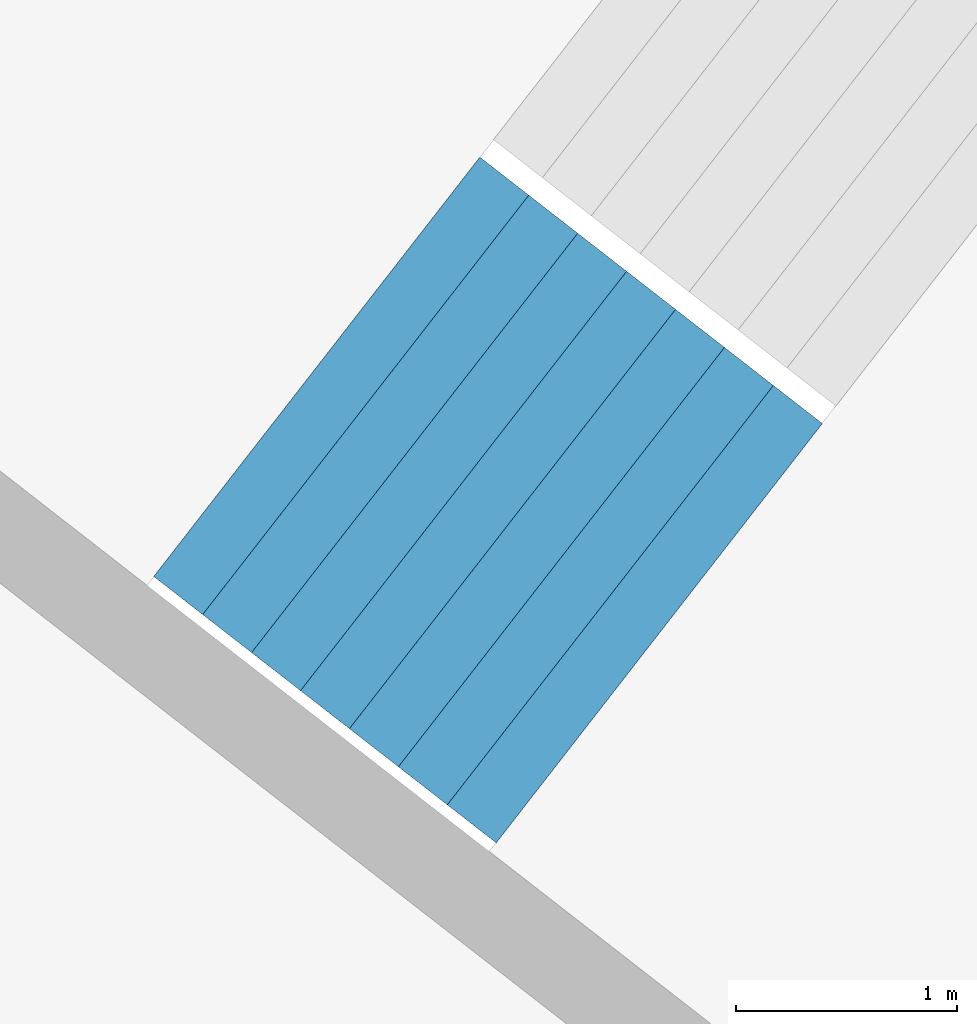
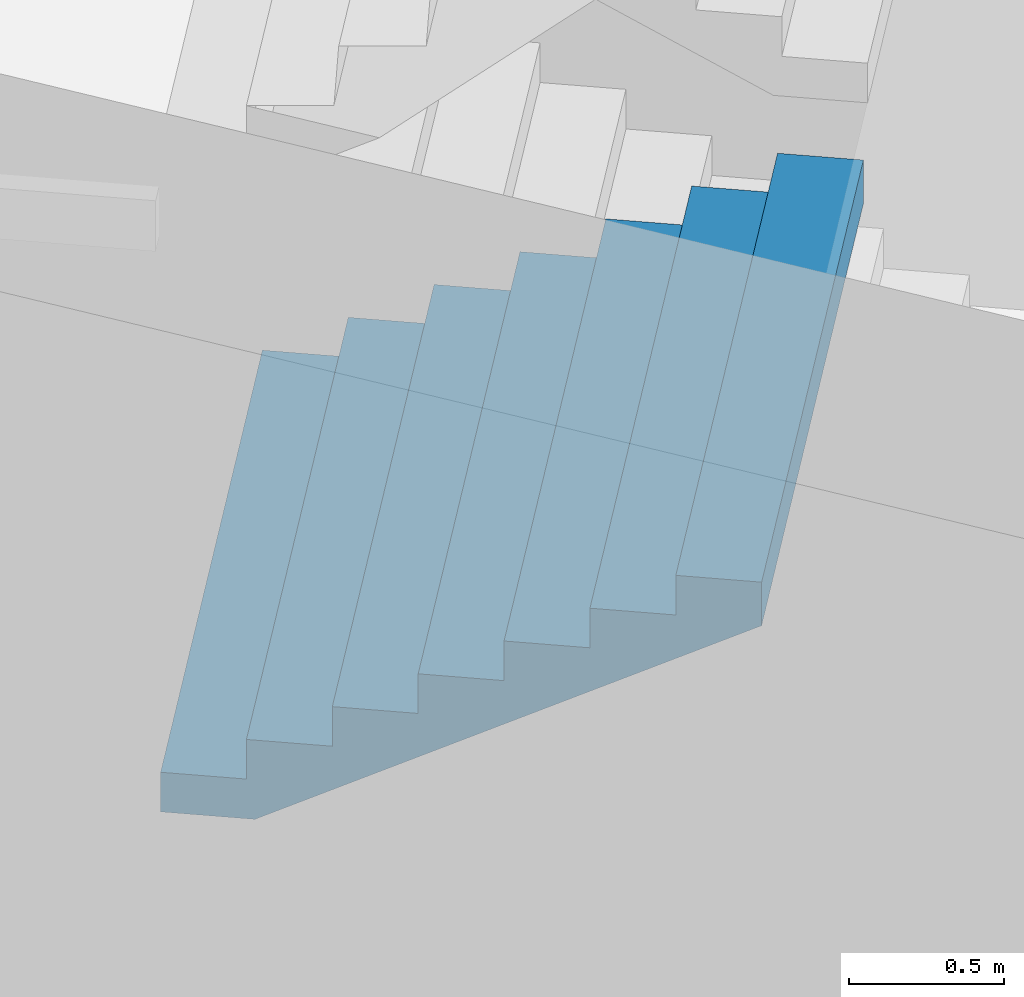
# One storey, part 37 of 73: 1 stair flight, 1 element without a shape of its own.
"""IFC4 building model written with IfcOpenShell, lengths in metres."""

from ifc_helpers import new_model, si_unit, direction, frame, origin, place, context, subcontext, project, spatial, triangles, material, type_object, element, aggregate, save


model = new_model("IFC4")

# Units and contexts
model_context = context("Model", 3, precision=1e-05, world=origin(), true_north=direction((0.0, 1.0)))
body_context = subcontext(model_context, "Body", "Model", "MODEL_VIEW")
ifc_project = project(units=[si_unit("LENGTHUNIT", "METRE"), si_unit("AREAUNIT", "SQUARE_METRE"), si_unit("VOLUMEUNIT", "CUBIC_METRE"), si_unit("PLANEANGLEUNIT", "RADIAN"), si_unit("MASSUNIT", "GRAM", prefix="KILO")], contexts=[model_context])

# Site, building, storey
site_placement = place(None, origin())
site = spatial("IfcSite", under=ifc_project, at=site_placement, CompositionType="ELEMENT")
building_placement = place(site_placement, origin())
building = spatial("IfcBuilding", under=site, at=building_placement, Name="Lantaw Convention Tower", CompositionType="ELEMENT")
storey_placement = place(building_placement, frame((0.0, 0.0, 22.0)))
storey = spatial("IfcBuildingStorey", under=building, at=storey_placement, Name="L03", CompositionType="ELEMENT", Elevation=22.0)

# Stair, stair flight
ifc_material = material(Name="Concrete C35/45", Category="concrete")
stair_type = type_object("IfcStairType", Name="Exit stair 2400 riser 156.25 in 4 flights", PredefinedType="HALF_TURN_STAIR", material=ifc_material)
stair_placement = place(storey_placement, origin())
stair = element("IfcStair", 1, at=stair_placement, inside=storey, type_object=stair_type, Name="Podium exit stair P7 L03", PredefinedType="HALF_TURN_STAIR")
stair_flight_type = type_object("IfcStairFlightType", Name="Stair flight 2400 riser 156.25", PredefinedType="STRAIGHT", material=ifc_material)
stair_flight_placement = place(storey_placement, frame((-31.04150390625, 22.557861328125, 1.25), z_axis=(0.0, 0.0, 1.0), x_axis=(0.789378829664, -0.613906396186, 0.0)))
stair_flight = element("IfcStairFlight", 2, at=stair_flight_placement, type_object=stair_flight_type, Name="P7 flight 2", NumberOfRisers=8, NumberOfTreads=7, PredefinedType="STRAIGHT", RiserHeight=0.15625, TreadLength=0.28, context=body_context, shape_type="Tessellation", body=[
    triangles([(0.0, 1.199951171875, 0.0), (0.0, 1.199951171875, 0.15625), (0.28, 1.199951171875, 0.0), (0.28, 1.199951171875, 0.15625), (0.28, 1.199951171875, 0.3125), (0.3076200632058044, 1.199951171875, 0.0), (0.3076200632058044, 1.199951171875, 0.3125), (0.56, 1.199951171875, 0.14083701830033238), (0.56, 1.199951171875, 0.3125), (0.56, 1.199951171875, 0.46875), (0.8400000000000001, 1.199951171875, 0.29708701830033235), (0.8400000000000001, 1.199951171875, 0.46875), (0.8400000000000001, 1.199951171875, 0.625), (1.12, 1.199951171875, 0.45333701830033235), (1.12, 1.199951171875, 0.625), (1.12, 1.199951171875, 0.78125), (1.4000000000000001, 1.199951171875, 0.6095870183003324), (1.4000000000000001, 1.199951171875, 0.78125), (1.4000000000000001, 1.199951171875, 0.9375), (1.6800000000000002, 1.199951171875, 0.7658370183003324), (1.6800000000000002, 1.199951171875, 0.9375), (1.6800000000000002, 1.199951171875, 1.09375), (1.9600000000000002, 1.199951171875, 0.9220870183003324), (1.9600000000000002, 1.199951171875, 1.09375), (0.0, -1.199951171875, 0.0), (0.0, -1.199951171875, 0.15625), (0.28, -1.199951171875, 0.0), (0.28, -1.199951171875, 0.15625), (0.28, -1.199951171875, 0.3125), (0.3076200632058044, -1.199951171875, 0.0), (0.3076200632058044, -1.199951171875, 0.3125), (0.56, -1.199951171875, 0.14083701830033238), (0.56, -1.199951171875, 0.3125), (0.56, -1.199951171875, 0.46875), (0.8400000000000001, -1.199951171875, 0.29708701830033235), (0.8400000000000001, -1.199951171875, 0.46875), (0.8400000000000001, -1.199951171875, 0.625), (1.12, -1.199951171875, 0.45333701830033235), (1.12, -1.199951171875, 0.625), (1.12, -1.199951171875, 0.78125), (1.4000000000000001, -1.199951171875, 0.6095870183003324), (1.4000000000000001, -1.199951171875, 0.78125), (1.4000000000000001, -1.199951171875, 0.9375), (1.6800000000000002, -1.199951171875, 0.7658370183003324), (1.6800000000000002, -1.199951171875, 0.9375), (1.6800000000000002, -1.199951171875, 1.09375), (1.9600000000000002, -1.199951171875, 0.9220870183003324), (1.9600000000000002, -1.199951171875, 1.09375), (0.0, 0.239990234375, 0.15625), (0.0, 0.239990234375, 0.0), (0.0, 0.1919921875, 0.15625), (0.0, 0.1919921875, 0.0), (0.0, 0.143994140625, 0.15625), (0.0, 0.143994140625, 0.0), (0.0, 0.09599609375, 0.15625), (0.0, 0.09599609375, 0.0), (0.0, 0.047998046875, 0.15625), (0.0, 0.047998046875, 0.0), (0.0, 0.0, 0.15625), (0.0, 0.0, 0.0), (0.0, -0.047998046875, 0.15625), (0.0, -0.047998046875, 0.0), (0.0, -0.09599609375, 0.15625), (0.0, -0.09599609375, 0.0), (0.0, -0.143994140625, 0.15625), (0.0, -0.143994140625, 0.0), (0.0, -0.1919921875, 0.15625), (0.0, -0.1919921875, 0.0), (0.0, -0.239990234375, 0.15625), (0.0, -0.239990234375, 0.0), (0.28, 0.239990234375, 0.3125), (0.28, 0.239990234375, 0.15625), (0.28, 0.1919921875, 0.3125), (0.28, 0.1919921875, 0.15625), (0.28, 0.143994140625, 0.3125), (0.28, 0.143994140625, 0.15625), (0.28, 0.09599609375, 0.3125), (0.28, 0.09599609375, 0.15625), (0.28, 0.047998046875, 0.3125), (0.28, 0.047998046875, 0.15625), (0.28, 0.0, 0.3125), (0.28, 0.0, 0.15625), (0.28, -0.047998046875, 0.3125), (0.28, -0.047998046875, 0.15625), (0.28, -0.09599609375, 0.3125), (0.28, -0.09599609375, 0.15625), (0.28, -0.143994140625, 0.3125), (0.28, -0.143994140625, 0.15625), (0.28, -0.1919921875, 0.3125), (0.28, -0.1919921875, 0.15625), (0.28, -0.239990234375, 0.3125), (0.28, -0.239990234375, 0.15625), (0.56, 0.239990234375, 0.46875), (0.56, 0.239990234375, 0.3125), (0.56, 0.1919921875, 0.46875), (0.56, 0.1919921875, 0.3125), (0.56, 0.143994140625, 0.46875), (0.56, 0.143994140625, 0.3125), (0.56, 0.09599609375, 0.46875), (0.56, 0.09599609375, 0.3125), (0.56, 0.047998046875, 0.46875), (0.56, 0.047998046875, 0.3125), (0.56, 0.0, 0.46875), (0.56, 0.0, 0.3125), (0.56, -0.047998046875, 0.46875), (0.56, -0.047998046875, 0.3125), (0.56, -0.09599609375, 0.46875), (0.56, -0.09599609375, 0.3125), (0.56, -0.143994140625, 0.46875), (0.56, -0.143994140625, 0.3125), (0.56, -0.1919921875, 0.46875), (0.56, -0.1919921875, 0.3125), (0.56, -0.239990234375, 0.46875), (0.56, -0.239990234375, 0.3125), (0.8400000000000001, 0.239990234375, 0.625), (0.8400000000000001, 0.239990234375, 0.46875), (0.8400000000000001, 0.1919921875, 0.625), (0.8400000000000001, 0.1919921875, 0.46875), (0.8400000000000001, 0.143994140625, 0.625), (0.8400000000000001, 0.143994140625, 0.46875), (0.8400000000000001, 0.09599609375, 0.625), (0.8400000000000001, 0.09599609375, 0.46875), (0.8400000000000001, 0.047998046875, 0.625), (0.8400000000000001, 0.047998046875, 0.46875), (0.8400000000000001, 0.0, 0.625), (0.8400000000000001, 0.0, 0.46875), (0.8400000000000001, -0.047998046875, 0.625), (0.8400000000000001, -0.047998046875, 0.46875), (0.8400000000000001, -0.09599609375, 0.625), (0.8400000000000001, -0.09599609375, 0.46875), (0.8400000000000001, -0.143994140625, 0.625), (0.8400000000000001, -0.143994140625, 0.46875), (0.8400000000000001, -0.1919921875, 0.625), (0.8400000000000001, -0.1919921875, 0.46875), (0.8400000000000001, -0.239990234375, 0.625), (0.8400000000000001, -0.239990234375, 0.46875), (1.12, 0.239990234375, 0.78125), (1.12, 0.239990234375, 0.625), (1.12, 0.1919921875, 0.78125), (1.12, 0.1919921875, 0.625), (1.12, 0.143994140625, 0.78125), (1.12, 0.143994140625, 0.625), (1.12, 0.09599609375, 0.78125), (1.12, 0.09599609375, 0.625), (1.12, 0.047998046875, 0.78125), (1.12, 0.047998046875, 0.625), (1.12, 0.0, 0.78125), (1.12, 0.0, 0.625), (1.12, -0.047998046875, 0.78125), (1.12, -0.047998046875, 0.625), (1.12, -0.09599609375, 0.78125), (1.12, -0.09599609375, 0.625), (1.12, -0.143994140625, 0.78125), (1.12, -0.143994140625, 0.625), (1.12, -0.1919921875, 0.78125), (1.12, -0.1919921875, 0.625), (1.12, -0.239990234375, 0.78125), (1.12, -0.239990234375, 0.625), (1.4000000000000001, 0.239990234375, 0.9375), (1.4000000000000001, 0.239990234375, 0.78125), (1.4000000000000001, 0.1919921875, 0.9375), (1.4000000000000001, 0.1919921875, 0.78125), (1.4000000000000001, 0.143994140625, 0.9375), (1.4000000000000001, 0.143994140625, 0.78125), (1.4000000000000001, 0.09599609375, 0.9375), (1.4000000000000001, 0.09599609375, 0.78125), (1.4000000000000001, 0.047998046875, 0.9375), (1.4000000000000001, 0.047998046875, 0.78125), (1.4000000000000001, 0.0, 0.9375), (1.4000000000000001, 0.0, 0.78125), (1.4000000000000001, -0.047998046875, 0.9375), (1.4000000000000001, -0.047998046875, 0.78125), (1.4000000000000001, -0.09599609375, 0.9375), (1.4000000000000001, -0.09599609375, 0.78125), (1.4000000000000001, -0.143994140625, 0.9375), (1.4000000000000001, -0.143994140625, 0.78125), (1.4000000000000001, -0.1919921875, 0.9375), (1.4000000000000001, -0.1919921875, 0.78125), (1.4000000000000001, -0.239990234375, 0.9375), (1.4000000000000001, -0.239990234375, 0.78125), (1.6800000000000002, 0.239990234375, 1.09375), (1.6800000000000002, 0.239990234375, 0.9375), (1.6800000000000002, 0.1919921875, 1.09375), (1.6800000000000002, 0.1919921875, 0.9375), (1.6800000000000002, 0.143994140625, 1.09375), (1.6800000000000002, 0.143994140625, 0.9375), (1.6800000000000002, 0.09599609375, 1.09375), (1.6800000000000002, 0.09599609375, 0.9375), (1.6800000000000002, 0.047998046875, 1.09375), (1.6800000000000002, 0.047998046875, 0.9375), (1.6800000000000002, 0.0, 1.09375), (1.6800000000000002, 0.0, 0.9375), (1.6800000000000002, -0.047998046875, 1.09375), (1.6800000000000002, -0.047998046875, 0.9375), (1.6800000000000002, -0.09599609375, 1.09375), (1.6800000000000002, -0.09599609375, 0.9375), (1.6800000000000002, -0.143994140625, 1.09375), (1.6800000000000002, -0.143994140625, 0.9375), (1.6800000000000002, -0.1919921875, 1.09375), (1.6800000000000002, -0.1919921875, 0.9375), (1.6800000000000002, -0.239990234375, 1.09375), (1.6800000000000002, -0.239990234375, 0.9375), (0.3076200632058044, 0.239990234375, 0.3125), (0.3076200632058044, 0.1919921875, 0.3125), (0.3076200632058044, 0.143994140625, 0.3125), (0.3076200632058044, 0.09599609375, 0.3125), (0.3076200632058044, 0.047998046875, 0.3125), (0.3076200632058044, 0.0, 0.3125), (0.3076200632058044, -0.047998046875, 0.3125), (0.3076200632058044, -0.09599609375, 0.3125), (0.3076200632058044, -0.143994140625, 0.3125), (0.3076200632058044, -0.1919921875, 0.3125), (0.3076200632058044, -0.239990234375, 0.3125), (1.9600000000000002, 0.239990234375, 1.09375), (1.9600000000000002, 0.1919921875, 1.09375), (1.9600000000000002, 0.143994140625, 1.09375), (1.9600000000000002, 0.09599609375, 1.09375), (1.9600000000000002, 0.047998046875, 1.09375), (1.9600000000000002, 0.0, 1.09375), (1.9600000000000002, -0.047998046875, 1.09375), (1.9600000000000002, -0.09599609375, 1.09375), (1.9600000000000002, -0.143994140625, 1.09375), (1.9600000000000002, -0.1919921875, 1.09375), (1.9600000000000002, -0.239990234375, 1.09375), (1.9600000000000002, 0.239990234375, 0.9220870183003324), (1.9600000000000002, 0.1919921875, 0.9220870183003324), (1.9600000000000002, 0.143994140625, 0.9220870183003324), (1.9600000000000002, 0.09599609375, 0.9220870183003324), (1.9600000000000002, 0.047998046875, 0.9220870183003324), (1.9600000000000002, 0.0, 0.9220870183003324), (1.9600000000000002, -0.047998046875, 0.9220870183003324), (1.9600000000000002, -0.09599609375, 0.9220870183003324), (1.9600000000000002, -0.143994140625, 0.9220870183003324), (1.9600000000000002, -0.1919921875, 0.9220870183003324), (1.9600000000000002, -0.239990234375, 0.9220870183003324), (1.6800000000000002, 0.239990234375, 0.7658370183003324), (1.6800000000000002, 0.1919921875, 0.7658370183003324), (1.6800000000000002, 0.143994140625, 0.7658370183003324), (1.6800000000000002, 0.09599609375, 0.7658370183003324), (1.6800000000000002, 0.047998046875, 0.7658370183003324), (1.6800000000000002, 0.0, 0.7658370183003324), (1.6800000000000002, -0.047998046875, 0.7658370183003324), (1.6800000000000002, -0.09599609375, 0.7658370183003324), (1.6800000000000002, -0.143994140625, 0.7658370183003324), (1.6800000000000002, -0.1919921875, 0.7658370183003324), (1.6800000000000002, -0.239990234375, 0.7658370183003324), (1.4000000000000001, 0.239990234375, 0.6095870183003324), (1.4000000000000001, 0.1919921875, 0.6095870183003324), (1.4000000000000001, 0.143994140625, 0.6095870183003324), (1.4000000000000001, 0.09599609375, 0.6095870183003324), (1.4000000000000001, 0.047998046875, 0.6095870183003324), (1.4000000000000001, 0.0, 0.6095870183003324), (1.4000000000000001, -0.047998046875, 0.6095870183003324), (1.4000000000000001, -0.09599609375, 0.6095870183003324), (1.4000000000000001, -0.143994140625, 0.6095870183003324), (1.4000000000000001, -0.1919921875, 0.6095870183003324), (1.4000000000000001, -0.239990234375, 0.6095870183003324), (1.12, 0.239990234375, 0.45333701830033235), (1.12, 0.1919921875, 0.45333701830033235), (1.12, 0.143994140625, 0.45333701830033235), (1.12, 0.09599609375, 0.45333701830033235), (1.12, 0.047998046875, 0.45333701830033235), (1.12, 0.0, 0.45333701830033235), (1.12, -0.047998046875, 0.45333701830033235), (1.12, -0.09599609375, 0.45333701830033235), (1.12, -0.143994140625, 0.45333701830033235), (1.12, -0.1919921875, 0.45333701830033235), (1.12, -0.239990234375, 0.45333701830033235), (0.8400000000000001, 0.239990234375, 0.29708701830033235), (0.8400000000000001, 0.1919921875, 0.29708701830033235), (0.8400000000000001, 0.143994140625, 0.29708701830033235), (0.8400000000000001, 0.09599609375, 0.29708701830033235), (0.8400000000000001, 0.047998046875, 0.29708701830033235), (0.8400000000000001, 0.0, 0.29708701830033235), (0.8400000000000001, -0.047998046875, 0.29708701830033235), (0.8400000000000001, -0.09599609375, 0.29708701830033235), (0.8400000000000001, -0.143994140625, 0.29708701830033235), (0.8400000000000001, -0.1919921875, 0.29708701830033235), (0.8400000000000001, -0.239990234375, 0.29708701830033235), (0.56, 0.239990234375, 0.14083701830033238), (0.56, 0.1919921875, 0.14083701830033238), (0.56, 0.143994140625, 0.14083701830033238), (0.56, 0.09599609375, 0.14083701830033238), (0.56, 0.047998046875, 0.14083701830033238), (0.56, 0.0, 0.14083701830033238), (0.56, -0.047998046875, 0.14083701830033238), (0.56, -0.09599609375, 0.14083701830033238), (0.56, -0.143994140625, 0.14083701830033238), (0.56, -0.1919921875, 0.14083701830033238), (0.56, -0.239990234375, 0.14083701830033238), (0.3076200632058044, 0.239990234375, 0.0), (0.3076200632058044, 0.1919921875, 0.0), (0.3076200632058044, 0.143994140625, 0.0), (0.3076200632058044, 0.09599609375, 0.0), (0.3076200632058044, 0.047998046875, 0.0), (0.3076200632058044, 0.0, 0.0), (0.3076200632058044, -0.047998046875, 0.0), (0.3076200632058044, -0.09599609375, 0.0), (0.3076200632058044, -0.143994140625, 0.0), (0.3076200632058044, -0.1919921875, 0.0), (0.3076200632058044, -0.239990234375, 0.0), (0.28, 0.239990234375, 0.0), (0.28, 0.1919921875, 0.0), (0.28, 0.143994140625, 0.0), (0.28, 0.09599609375, 0.0), (0.28, 0.047998046875, 0.0), (0.28, 0.0, 0.0), (0.28, -0.047998046875, 0.0), (0.28, -0.09599609375, 0.0), (0.28, -0.143994140625, 0.0), (0.28, -0.1919921875, 0.0), (0.28, -0.239990234375, 0.0)], [[1, 4, 3], [1, 2, 4], [3, 4, 6], [4, 7, 6], [4, 5, 7], [6, 9, 8], [6, 7, 9], [8, 9, 11], [9, 12, 11], [9, 10, 12], [11, 12, 14], [12, 15, 14], [12, 13, 15], [14, 15, 17], [15, 18, 17], [15, 16, 18], [17, 18, 20], [18, 21, 20], [18, 19, 21], [20, 21, 23], [21, 24, 23], [21, 22, 24], [25, 27, 28], [25, 28, 26], [27, 30, 28], [28, 30, 31], [28, 31, 29], [30, 32, 33], [30, 33, 31], [32, 35, 33], [33, 35, 36], [33, 36, 34], [35, 38, 36], [36, 38, 39], [36, 39, 37], [38, 41, 39], [39, 41, 42], [39, 42, 40], [41, 44, 42], [42, 44, 45], [42, 45, 43], [44, 47, 45], [45, 47, 48], [45, 48, 46], [1, 49, 2], [1, 50, 49], [50, 51, 49], [50, 52, 51], [52, 53, 51], [52, 54, 53], [54, 55, 53], [54, 56, 55], [56, 57, 55], [56, 58, 57], [58, 59, 57], [58, 60, 59], [60, 61, 59], [60, 62, 61], [62, 63, 61], [62, 64, 63], [64, 65, 63], [64, 66, 65], [66, 67, 65], [66, 68, 67], [68, 69, 67], [68, 70, 69], [70, 26, 69], [70, 25, 26], [4, 71, 5], [4, 72, 71], [72, 73, 71], [72, 74, 73], [74, 75, 73], [74, 76, 75], [76, 77, 75], [76, 78, 77], [78, 79, 77], [78, 80, 79], [80, 81, 79], [80, 82, 81], [82, 83, 81], [82, 84, 83], [84, 85, 83], [84, 86, 85], [86, 87, 85], [86, 88, 87], [88, 89, 87], [88, 90, 89], [90, 91, 89], [90, 92, 91], [92, 29, 91], [92, 28, 29], [9, 93, 10], [9, 94, 93], [94, 95, 93], [94, 96, 95], [96, 97, 95], [96, 98, 97], [98, 99, 97], [98, 100, 99], [100, 101, 99], [100, 102, 101], [102, 103, 101], [102, 104, 103], [104, 105, 103], [104, 106, 105], [106, 107, 105], [106, 108, 107], [108, 109, 107], [108, 110, 109], [110, 111, 109], [110, 112, 111], [112, 113, 111], [112, 114, 113], [114, 34, 113], [114, 33, 34], [12, 115, 13], [12, 116, 115], [116, 117, 115], [116, 118, 117], [118, 119, 117], [118, 120, 119], [120, 121, 119], [120, 122, 121], [122, 123, 121], [122, 124, 123], [124, 125, 123], [124, 126, 125], [126, 127, 125], [126, 128, 127], [128, 129, 127], [128, 130, 129], [130, 131, 129], [130, 132, 131], [132, 133, 131], [132, 134, 133], [134, 135, 133], [134, 136, 135], [136, 37, 135], [136, 36, 37], [15, 137, 16], [15, 138, 137], [138, 139, 137], [138, 140, 139], [140, 141, 139], [140, 142, 141], [142, 143, 141], [142, 144, 143], [144, 145, 143], [144, 146, 145], [146, 147, 145], [146, 148, 147], [148, 149, 147], [148, 150, 149], [150, 151, 149], [150, 152, 151], [152, 153, 151], [152, 154, 153], [154, 155, 153], [154, 156, 155], [156, 157, 155], [156, 158, 157], [158, 40, 157], [158, 39, 40], [18, 159, 19], [18, 160, 159], [160, 161, 159], [160, 162, 161], [162, 163, 161], [162, 164, 163], [164, 165, 163], [164, 166, 165], [166, 167, 165], [166, 168, 167], [168, 169, 167], [168, 170, 169], [170, 171, 169], [170, 172, 171], [172, 173, 171], [172, 174, 173], [174, 175, 173], [174, 176, 175], [176, 177, 175], [176, 178, 177], [178, 179, 177], [178, 180, 179], [180, 43, 179], [180, 42, 43], [21, 181, 22], [21, 182, 181], [182, 183, 181], [182, 184, 183], [184, 185, 183], [184, 186, 185], [186, 187, 185], [186, 188, 187], [188, 189, 187], [188, 190, 189], [190, 191, 189], [190, 192, 191], [192, 193, 191], [192, 194, 193], [194, 195, 193], [194, 196, 195], [196, 197, 195], [196, 198, 197], [198, 199, 197], [198, 200, 199], [200, 201, 199], [200, 202, 201], [202, 46, 201], [202, 45, 46], [2, 72, 4], [2, 49, 72], [49, 74, 72], [49, 51, 74], [51, 76, 74], [51, 53, 76], [53, 78, 76], [53, 55, 78], [55, 80, 78], [55, 57, 80], [57, 82, 80], [57, 59, 82], [59, 84, 82], [59, 61, 84], [61, 86, 84], [61, 63, 86], [63, 88, 86], [63, 65, 88], [65, 90, 88], [65, 67, 90], [67, 92, 90], [67, 69, 92], [69, 28, 92], [69, 26, 28], [5, 203, 7], [5, 71, 203], [71, 204, 203], [71, 73, 204], [73, 205, 204], [73, 75, 205], [75, 206, 205], [75, 77, 206], [77, 207, 206], [77, 79, 207], [79, 208, 207], [79, 81, 208], [81, 209, 208], [81, 83, 209], [83, 210, 209], [83, 85, 210], [85, 211, 210], [85, 87, 211], [87, 212, 211], [87, 89, 212], [89, 213, 212], [89, 91, 213], [91, 31, 213], [91, 29, 31], [7, 94, 9], [7, 203, 94], [203, 96, 94], [203, 204, 96], [204, 98, 96], [204, 205, 98], [205, 100, 98], [205, 206, 100], [206, 102, 100], [206, 207, 102], [207, 104, 102], [207, 208, 104], [208, 106, 104], [208, 209, 106], [209, 108, 106], [209, 210, 108], [210, 110, 108], [210, 211, 110], [211, 112, 110], [211, 212, 112], [212, 114, 112], [212, 213, 114], [213, 33, 114], [213, 31, 33], [10, 116, 12], [10, 93, 116], [93, 118, 116], [93, 95, 118], [95, 120, 118], [95, 97, 120], [97, 122, 120], [97, 99, 122], [99, 124, 122], [99, 101, 124], [101, 126, 124], [101, 103, 126], [103, 128, 126], [103, 105, 128], [105, 130, 128], [105, 107, 130], [107, 132, 130], [107, 109, 132], [109, 134, 132], [109, 111, 134], [111, 136, 134], [111, 113, 136], [113, 36, 136], [113, 34, 36], [13, 138, 15], [13, 115, 138], [115, 140, 138], [115, 117, 140], [117, 142, 140], [117, 119, 142], [119, 144, 142], [119, 121, 144], [121, 146, 144], [121, 123, 146], [123, 148, 146], [123, 125, 148], [125, 150, 148], [125, 127, 150], [127, 152, 150], [127, 129, 152], [129, 154, 152], [129, 131, 154], [131, 156, 154], [131, 133, 156], [133, 158, 156], [133, 135, 158], [135, 39, 158], [135, 37, 39], [16, 160, 18], [16, 137, 160], [137, 162, 160], [137, 139, 162], [139, 164, 162], [139, 141, 164], [141, 166, 164], [141, 143, 166], [143, 168, 166], [143, 145, 168], [145, 170, 168], [145, 147, 170], [147, 172, 170], [147, 149, 172], [149, 174, 172], [149, 151, 174], [151, 176, 174], [151, 153, 176], [153, 178, 176], [153, 155, 178], [155, 180, 178], [155, 157, 180], [157, 42, 180], [157, 40, 42], [19, 182, 21], [19, 159, 182], [159, 184, 182], [159, 161, 184], [161, 186, 184], [161, 163, 186], [163, 188, 186], [163, 165, 188], [165, 190, 188], [165, 167, 190], [167, 192, 190], [167, 169, 192], [169, 194, 192], [169, 171, 194], [171, 196, 194], [171, 173, 196], [173, 198, 196], [173, 175, 198], [175, 200, 198], [175, 177, 200], [177, 202, 200], [177, 179, 202], [179, 45, 202], [179, 43, 45], [22, 214, 24], [22, 181, 214], [181, 215, 214], [181, 183, 215], [183, 216, 215], [183, 185, 216], [185, 217, 216], [185, 187, 217], [187, 218, 217], [187, 189, 218], [189, 219, 218], [189, 191, 219], [191, 220, 219], [191, 193, 220], [193, 221, 220], [193, 195, 221], [195, 222, 221], [195, 197, 222], [197, 223, 222], [197, 199, 223], [199, 224, 223], [199, 201, 224], [201, 48, 224], [201, 46, 48], [24, 225, 23], [24, 214, 225], [214, 226, 225], [214, 215, 226], [215, 227, 226], [215, 216, 227], [216, 228, 227], [216, 217, 228], [217, 229, 228], [217, 218, 229], [218, 230, 229], [218, 219, 230], [219, 231, 230], [219, 220, 231], [220, 232, 231], [220, 221, 232], [221, 233, 232], [221, 222, 233], [222, 234, 233], [222, 223, 234], [223, 235, 234], [223, 224, 235], [224, 47, 235], [224, 48, 47], [23, 236, 20], [23, 225, 236], [225, 237, 236], [225, 226, 237], [226, 238, 237], [226, 227, 238], [227, 239, 238], [227, 228, 239], [228, 240, 239], [228, 229, 240], [229, 241, 240], [229, 230, 241], [230, 242, 241], [230, 231, 242], [231, 243, 242], [231, 232, 243], [232, 244, 243], [232, 233, 244], [233, 245, 244], [233, 234, 245], [234, 246, 245], [234, 235, 246], [235, 44, 246], [235, 47, 44], [20, 247, 17], [20, 236, 247], [236, 248, 247], [236, 237, 248], [237, 249, 248], [237, 238, 249], [238, 250, 249], [238, 239, 250], [239, 251, 250], [239, 240, 251], [240, 252, 251], [240, 241, 252], [241, 253, 252], [241, 242, 253], [242, 254, 253], [242, 243, 254], [243, 255, 254], [243, 244, 255], [244, 256, 255], [244, 245, 256], [245, 257, 256], [245, 246, 257], [246, 41, 257], [246, 44, 41], [17, 258, 14], [17, 247, 258], [247, 259, 258], [247, 248, 259], [248, 260, 259], [248, 249, 260], [249, 261, 260], [249, 250, 261], [250, 262, 261], [250, 251, 262], [251, 263, 262], [251, 252, 263], [252, 264, 263], [252, 253, 264], [253, 265, 264], [253, 254, 265], [254, 266, 265], [254, 255, 266], [255, 267, 266], [255, 256, 267], [256, 268, 267], [256, 257, 268], [257, 38, 268], [257, 41, 38], [14, 269, 11], [14, 258, 269], [258, 270, 269], [258, 259, 270], [259, 271, 270], [259, 260, 271], [260, 272, 271], [260, 261, 272], [261, 273, 272], [261, 262, 273], [262, 274, 273], [262, 263, 274], [263, 275, 274], [263, 264, 275], [264, 276, 275], [264, 265, 276], [265, 277, 276], [265, 266, 277], [266, 278, 277], [266, 267, 278], [267, 279, 278], [267, 268, 279], [268, 35, 279], [268, 38, 35], [11, 280, 8], [11, 269, 280], [269, 281, 280], [269, 270, 281], [270, 282, 281], [270, 271, 282], [271, 283, 282], [271, 272, 283], [272, 284, 283], [272, 273, 284], [273, 285, 284], [273, 274, 285], [274, 286, 285], [274, 275, 286], [275, 287, 286], [275, 276, 287], [276, 288, 287], [276, 277, 288], [277, 289, 288], [277, 278, 289], [278, 290, 289], [278, 279, 290], [279, 32, 290], [279, 35, 32], [8, 291, 6], [8, 280, 291], [280, 292, 291], [280, 281, 292], [281, 293, 292], [281, 282, 293], [282, 294, 293], [282, 283, 294], [283, 295, 294], [283, 284, 295], [284, 296, 295], [284, 285, 296], [285, 297, 296], [285, 286, 297], [286, 298, 297], [286, 287, 298], [287, 299, 298], [287, 288, 299], [288, 300, 299], [288, 289, 300], [289, 301, 300], [289, 290, 301], [290, 30, 301], [290, 32, 30], [6, 302, 3], [6, 291, 302], [291, 303, 302], [291, 292, 303], [292, 304, 303], [292, 293, 304], [293, 305, 304], [293, 294, 305], [294, 306, 305], [294, 295, 306], [295, 307, 306], [295, 296, 307], [296, 308, 307], [296, 297, 308], [297, 309, 308], [297, 298, 309], [298, 310, 309], [298, 299, 310], [299, 311, 310], [299, 300, 311], [300, 312, 311], [300, 301, 312], [301, 27, 312], [301, 30, 27], [3, 50, 1], [3, 302, 50], [302, 52, 50], [302, 303, 52], [303, 54, 52], [303, 304, 54], [304, 56, 54], [304, 305, 56], [305, 58, 56], [305, 306, 58], [306, 60, 58], [306, 307, 60], [307, 62, 60], [307, 308, 62], [308, 64, 62], [308, 309, 64], [309, 66, 64], [309, 310, 66], [310, 68, 66], [310, 311, 68], [311, 70, 68], [311, 312, 70], [312, 25, 70], [312, 27, 25]], closed=True),
])
aggregate(stair, [stair_flight])

save(model, "model.ifc")
